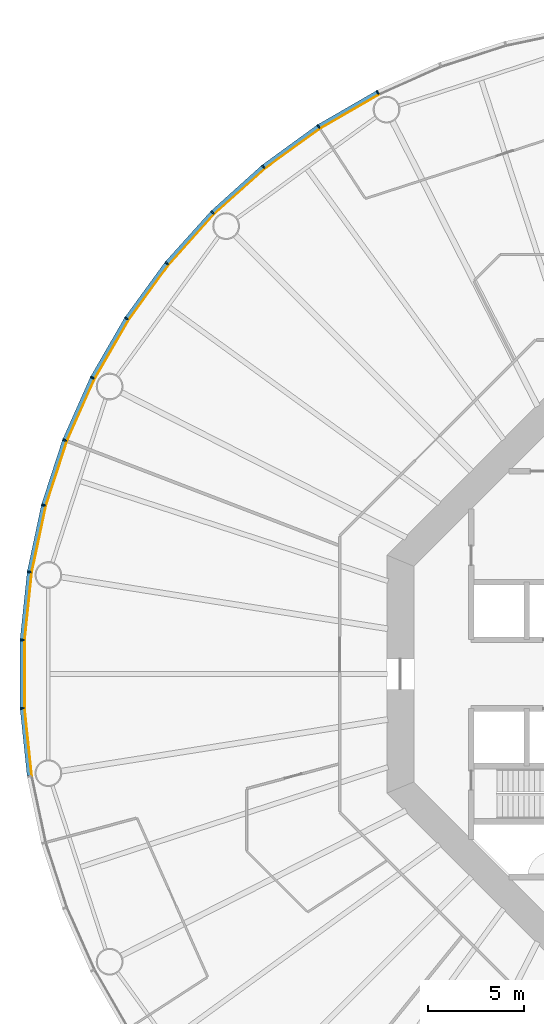
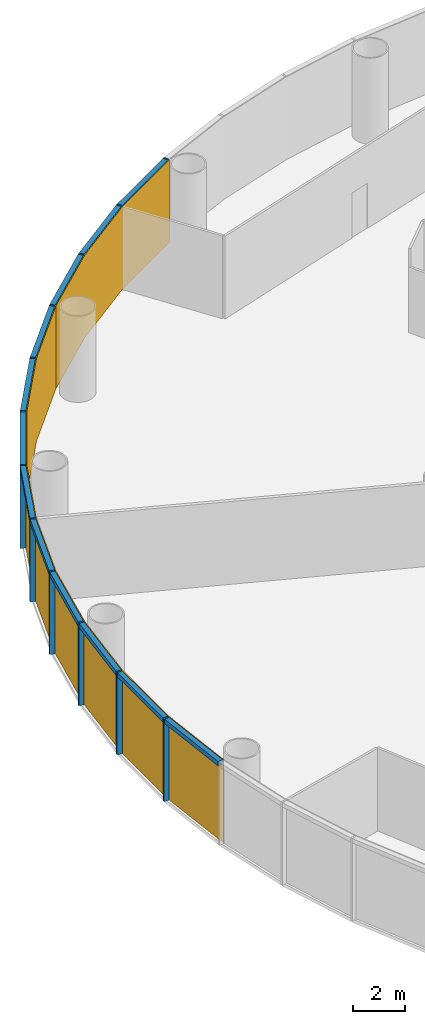
# One storey, part 9 of 13: 24 members, 4 curtain walls.
"""IFC4 building model written with IfcOpenShell, lengths in metres."""

from ifc_helpers import new_model, si_unit, direction, frame, origin, origin_2d, place, context, subcontext, project, spatial, polyline, rectangle, outline, extrude, material, layer, layer_set, material_profile, profile_set, type_object, element, aggregate, save


model = new_model("IFC4")

# Units and contexts
model_context = context("Model", 3, precision=1e-05, world=origin(), true_north=direction((0.0, 1.0)))
body_context = subcontext(model_context, "Body", "Model", "MODEL_VIEW")
ifc_project = project(units=[si_unit("LENGTHUNIT", "METRE"), si_unit("AREAUNIT", "SQUARE_METRE"), si_unit("VOLUMEUNIT", "CUBIC_METRE"), si_unit("PLANEANGLEUNIT", "RADIAN"), si_unit("MASSUNIT", "GRAM", prefix="KILO")], contexts=[model_context])

# Member
ifc_material_1 = material(Name="Anodised aluminium", Category="aluminium")
ifc_material_profile_1 = material_profile(ifc_material_1, rectangle(XDim=0.074951171875, YDim=0.219970703125, at=origin_2d()), Name="Mullion 75 x 220 mm anodised aluminium")
ifc_profile_set_1 = profile_set([ifc_material_profile_1], Name="Anodised aluminium")
member_type_1 = type_object("IfcMemberType", Name="Mullion 75 x 220 mm anodised aluminium", PredefinedType="MULLION", material=ifc_profile_set_1)
site_placement = place(None, origin())
building_placement = place(site_placement, origin())
storey_placement = place(building_placement, frame((0.0, 0.0, 22.0)))
member_1_placement = place(storey_placement, frame((74.514404296875, 110.392333984375, 0.0), z_axis=(0.0, 0.0, 1.0), x_axis=(-0.891006524188, -0.45399049974, 0.0)))
member_1 = element("IfcMember", 1, at=member_1_placement, type_object=member_type_1, Name="MULLION L03-18", PredefinedType="MULLION", context=body_context, shape_type="SweptSolid", body=[
    extrude(rectangle(XDim=0.074951171875, YDim=0.219970703125, at=origin_2d()), origin(), (0.0, 0.0, 1.0), 3.85009765625),
])

member_2_placement = place(storey_placement, frame((71.42236328125, 108.60693359375, 0.0), z_axis=(0.0, 0.0, 1.0), x_axis=(-0.838670567945, -0.544639035015, 0.0)))
member_2 = element("IfcMember", 2, at=member_2_placement, type_object=member_type_1, Name="MULLION L03-19", PredefinedType="MULLION", context=body_context, shape_type="SweptSolid", body=[
    extrude(rectangle(XDim=0.074951171875, YDim=0.219970703125, at=origin_2d()), origin(), (0.0, 0.0, 1.0), 3.85009765625),
])

member_3_placement = place(storey_placement, frame((68.533935546875, 106.508544921875, 0.0), z_axis=(0.0, 0.0, 1.0), x_axis=(-0.777145961457, -0.62932039105, 0.0)))
member_3 = element("IfcMember", 3, at=member_3_placement, type_object=member_type_1, Name="MULLION L03-20", PredefinedType="MULLION", context=body_context, shape_type="SweptSolid", body=[
    extrude(rectangle(XDim=0.074951171875, YDim=0.219970703125, at=origin_2d()), origin(), (0.0, 0.0, 1.0), 3.85009765625),
])

member_4_placement = place(storey_placement, frame((65.880615234375, 104.119384765625, 0.0), z_axis=(0.0, 0.0, 1.0), x_axis=(-0.707106781187, -0.707106781187, 0.0)))
member_4 = element("IfcMember", 4, at=member_4_placement, type_object=member_type_1, Name="MULLION L03-21", PredefinedType="MULLION", context=body_context, shape_type="SweptSolid", body=[
    extrude(rectangle(XDim=0.074951171875, YDim=0.219970703125, at=origin_2d()), origin(), (0.0, 0.0, 1.0), 3.85009765625),
])

member_5_placement = place(storey_placement, frame((63.491455078125, 101.466064453125, 0.0), z_axis=(0.0, 0.0, 1.0), x_axis=(-0.62932039105, -0.777145961457, 0.0)))
member_5 = element("IfcMember", 5, at=member_5_placement, type_object=member_type_1, Name="MULLION L03-22", PredefinedType="MULLION", context=body_context, shape_type="SweptSolid", body=[
    extrude(rectangle(XDim=0.074951171875, YDim=0.219970703125, at=origin_2d()), origin(), (0.0, 0.0, 1.0), 3.85009765625),
])

member_6_placement = place(storey_placement, frame((61.39306640625, 98.57763671875, 0.0), z_axis=(0.0, 0.0, 1.0), x_axis=(-0.544639035015, -0.838670567945, 0.0)))
member_6 = element("IfcMember", 6, at=member_6_placement, type_object=member_type_1, Name="MULLION L03-23", PredefinedType="MULLION", context=body_context, shape_type="SweptSolid", body=[
    extrude(rectangle(XDim=0.074951171875, YDim=0.219970703125, at=origin_2d()), origin(), (0.0, 0.0, 1.0), 3.85009765625),
])

member_7_placement = place(storey_placement, frame((59.607666015625, 95.485595703125, 0.0), z_axis=(0.0, 0.0, 1.0), x_axis=(-0.45399049974, -0.891006524188, 0.0)))
member_7 = element("IfcMember", 7, at=member_7_placement, type_object=member_type_1, Name="MULLION L03-24", PredefinedType="MULLION", context=body_context, shape_type="SweptSolid", body=[
    extrude(rectangle(XDim=0.074951171875, YDim=0.219970703125, at=origin_2d()), origin(), (0.0, 0.0, 1.0), 3.85009765625),
])

member_8_placement = place(storey_placement, frame((58.155517578125, 92.223876953125, 0.0), z_axis=(0.0, 0.0, 1.0), x_axis=(-0.358367949545, -0.933580426497, 0.0)))
member_8 = element("IfcMember", 8, at=member_8_placement, type_object=member_type_1, Name="MULLION L03-25", PredefinedType="MULLION", context=body_context, shape_type="SweptSolid", body=[
    extrude(rectangle(XDim=0.074951171875, YDim=0.219970703125, at=origin_2d()), origin(), (0.0, 0.0, 1.0), 3.85009765625),
])

member_9_placement = place(storey_placement, frame((57.05224609375, 88.828369140625, 0.0), z_axis=(0.0, 0.0, 1.0), x_axis=(-0.258819045103, -0.965925826289, 0.0)))
member_9 = element("IfcMember", 9, at=member_9_placement, type_object=member_type_1, Name="MULLION L03-26", PredefinedType="MULLION", context=body_context, shape_type="SweptSolid", body=[
    extrude(rectangle(XDim=0.074951171875, YDim=0.219970703125, at=origin_2d()), origin(), (0.0, 0.0, 1.0), 3.85009765625),
])

member_10_placement = place(storey_placement, frame((56.31005859375, 85.3359375, 0.0), z_axis=(0.0, 0.0, 1.0), x_axis=(-0.15643446504, -0.987688340595, 0.0)))
member_10 = element("IfcMember", 10, at=member_10_placement, type_object=member_type_1, Name="MULLION L03-27", PredefinedType="MULLION", context=body_context, shape_type="SweptSolid", body=[
    extrude(rectangle(XDim=0.074951171875, YDim=0.219970703125, at=origin_2d()), origin(), (0.0, 0.0, 1.0), 3.85009765625),
])

member_11_placement = place(storey_placement, frame((55.936767578125, 81.78515625, 0.0), z_axis=(0.0, 0.0, 1.0), x_axis=(-0.052335956243, -0.998629534755, 0.0)))
member_11 = element("IfcMember", 11, at=member_11_placement, type_object=member_type_1, Name="MULLION L03-28", PredefinedType="MULLION", context=body_context, shape_type="SweptSolid", body=[
    extrude(rectangle(XDim=0.074951171875, YDim=0.219970703125, at=origin_2d()), origin(), (0.0, 0.0, 1.0), 3.85009765625),
])

member_12_placement = place(storey_placement, frame((55.936767578125, 78.21484375, 0.0), z_axis=(0.0, 0.0, 1.0), x_axis=(0.052335956243, -0.998629534755, 0.0)))
member_12 = element("IfcMember", 12, at=member_12_placement, type_object=member_type_1, Name="MULLION L03-29", PredefinedType="MULLION", context=body_context, shape_type="SweptSolid", body=[
    extrude(rectangle(XDim=0.074951171875, YDim=0.219970703125, at=origin_2d()), origin(), (0.0, 0.0, 1.0), 3.85009765625),
])

ifc_material_2 = material(Name="Anodised aluminium", Category="aluminium")
ifc_material_profile_2 = material_profile(ifc_material_2, rectangle(XDim=0.219970703125, YDim=0.199951171875, at=origin_2d()), Name="Transom 200 x 220 mm anodised aluminium")
ifc_profile_set_2 = profile_set([ifc_material_profile_2], Name="Anodised aluminium")
member_type_2 = type_object("IfcMemberType", Name="Transom 200 x 220 mm anodised aluminium", PredefinedType="USERDEFINED", material=ifc_profile_set_2)
member_13_placement = place(storey_placement, frame((74.476806640625, 110.370849609375, 3.75), z_axis=(-0.866022206254, -0.500005538244, 0.0), x_axis=(0.500005538244, -0.866022206254, 0.0)))
member_13 = element("IfcMember", 13, at=member_13_placement, type_object=member_type_2, Name="TRANSOM L03-18", ObjectType="TRANSOM", PredefinedType="USERDEFINED", context=body_context, shape_type="SweptSolid", body=[
    extrude(rectangle(XDim=0.219970703125, YDim=0.199951171875, at=origin_2d()), origin(), (0.0, 0.0, 1.0), 3.48388671875),
])

member_14_placement = place(storey_placement, frame((71.38720703125, 108.581787109375, 3.75), z_axis=(-0.80899056535, -0.587821627006, 0.0), x_axis=(0.587821627006, -0.80899056535, 0.0)))
member_14 = element("IfcMember", 14, at=member_14_placement, type_object=member_type_2, Name="TRANSOM L03-19", ObjectType="TRANSOM", PredefinedType="USERDEFINED", context=body_context, shape_type="SweptSolid", body=[
    extrude(rectangle(XDim=0.219970703125, YDim=0.199951171875, at=origin_2d()), origin(), (0.0, 0.0, 1.0), 3.48388671875),
])

member_15_placement = place(storey_placement, frame((68.501708984375, 106.479736328125, 3.75), z_axis=(-0.743137329876, -0.669138930974, 0.0), x_axis=(0.669138930974, -0.743137329876, 0.0)))
member_15 = element("IfcMember", 15, at=member_15_placement, type_object=member_type_2, Name="TRANSOM L03-20", ObjectType="TRANSOM", PredefinedType="USERDEFINED", context=body_context, shape_type="SweptSolid", body=[
    extrude(rectangle(XDim=0.219970703125, YDim=0.199951171875, at=origin_2d()), origin(), (0.0, 0.0, 1.0), 3.484130859375),
])

member_16_placement = place(storey_placement, frame((65.8515625, 104.08740234375, 3.75), z_axis=(-0.669138930974, -0.743137329876, 0.0), x_axis=(0.743137329876, -0.669138930974, 0.0)))
member_16 = element("IfcMember", 16, at=member_16_placement, type_object=member_type_2, Name="TRANSOM L03-21", ObjectType="TRANSOM", PredefinedType="USERDEFINED", context=body_context, shape_type="SweptSolid", body=[
    extrude(rectangle(XDim=0.219970703125, YDim=0.199951171875, at=origin_2d()), origin(), (0.0, 0.0, 1.0), 3.484130859375),
])

member_17_placement = place(storey_placement, frame((63.466064453125, 101.43115234375, 3.75), z_axis=(-0.587821627006, -0.80899056535, 0.0), x_axis=(0.80899056535, -0.587821627006, 0.0)))
member_17 = element("IfcMember", 17, at=member_17_placement, type_object=member_type_2, Name="TRANSOM L03-22", ObjectType="TRANSOM", PredefinedType="USERDEFINED", context=body_context, shape_type="SweptSolid", body=[
    extrude(rectangle(XDim=0.219970703125, YDim=0.199951171875, at=origin_2d()), origin(), (0.0, 0.0, 1.0), 3.48388671875),
])

member_18_placement = place(storey_placement, frame((61.37109375, 98.540283203125, 3.75), z_axis=(-0.500005538244, -0.866022206254, 0.0), x_axis=(0.866022206254, -0.500005538244, 0.0)))
member_18 = element("IfcMember", 18, at=member_18_placement, type_object=member_type_2, Name="TRANSOM L03-23", ObjectType="TRANSOM", PredefinedType="USERDEFINED", context=body_context, shape_type="SweptSolid", body=[
    extrude(rectangle(XDim=0.219970703125, YDim=0.199951171875, at=origin_2d()), origin(), (0.0, 0.0, 1.0), 3.48388671875),
])

member_19_placement = place(storey_placement, frame((59.590087890625, 95.446044921875, 3.75), z_axis=(-0.406736576304, -0.913545487371, 0.0), x_axis=(0.913545487371, -0.406736576304, 0.0)))
member_19 = element("IfcMember", 19, at=member_19_placement, type_object=member_type_2, Name="TRANSOM L03-24", ObjectType="TRANSOM", PredefinedType="USERDEFINED", context=body_context, shape_type="SweptSolid", body=[
    extrude(rectangle(XDim=0.219970703125, YDim=0.199951171875, at=origin_2d()), origin(), (0.0, 0.0, 1.0), 3.48388671875),
])

member_20_placement = place(storey_placement, frame((58.14208984375, 92.182861328125, 3.75), z_axis=(-0.309029029702, -0.951052605696, 0.0), x_axis=(0.951052605696, -0.309029029702, 0.0)))
member_20 = element("IfcMember", 20, at=member_20_placement, type_object=member_type_2, Name="TRANSOM L03-25", ObjectType="TRANSOM", PredefinedType="USERDEFINED", context=body_context, shape_type="SweptSolid", body=[
    extrude(rectangle(XDim=0.219970703125, YDim=0.199951171875, at=origin_2d()), origin(), (0.0, 0.0, 1.0), 3.484130859375),
])

member_21_placement = place(storey_placement, frame((57.043212890625, 88.7861328125, 3.75), z_axis=(-0.207920776701, -0.978145669426, 0.0), x_axis=(0.978145669426, -0.207920776701, 0.0)))
member_21 = element("IfcMember", 21, at=member_21_placement, type_object=member_type_2, Name="TRANSOM L03-26", ObjectType="TRANSOM", PredefinedType="USERDEFINED", context=body_context, shape_type="SweptSolid", body=[
    extrude(rectangle(XDim=0.219970703125, YDim=0.199951171875, at=origin_2d()), origin(), (0.0, 0.0, 1.0), 3.48388671875),
])

member_22_placement = place(storey_placement, frame((56.30517578125, 85.29296875, 3.75), z_axis=(-0.104484152234, -0.994526551648, 0.0), x_axis=(0.994526551648, -0.104484152234, 0.0)))
member_22 = element("IfcMember", 22, at=member_22_placement, type_object=member_type_2, Name="TRANSOM L03-27", ObjectType="TRANSOM", PredefinedType="USERDEFINED", context=body_context, shape_type="SweptSolid", body=[
    extrude(rectangle(XDim=0.219970703125, YDim=0.199951171875, at=origin_2d()), origin(), (0.0, 0.0, 1.0), 3.48388671875),
])

member_23_placement = place(storey_placement, frame((55.9365234375, 81.741943359375, 3.75), z_axis=(0.0, -1.0, 0.0), x_axis=(1.0, 0.0, 0.0)))
member_23 = element("IfcMember", 23, at=member_23_placement, type_object=member_type_2, Name="TRANSOM L03-28", ObjectType="TRANSOM", PredefinedType="USERDEFINED", context=body_context, shape_type="SweptSolid", body=[
    extrude(rectangle(XDim=0.219970703125, YDim=0.199951171875, at=origin_2d()), origin(), (0.0, 0.0, 1.0), 3.48388671875),
])

member_24_placement = place(storey_placement, frame((55.941162109375, 78.171875, 3.75), z_axis=(0.104484152234, -0.994526551648, 0.0), x_axis=(0.994526551648, 0.104484152234, 0.0)))
member_24 = element("IfcMember", 24, at=member_24_placement, type_object=member_type_2, Name="TRANSOM L03-29", ObjectType="TRANSOM", PredefinedType="USERDEFINED", context=body_context, shape_type="SweptSolid", body=[
    extrude(rectangle(XDim=0.219970703125, YDim=0.199951171875, at=origin_2d()), origin(), (0.0, 0.0, 1.0), 3.48388671875),
])

# Site, building, storey
site = spatial("IfcSite", under=ifc_project, at=site_placement, CompositionType="ELEMENT")
building = spatial("IfcBuilding", under=site, at=building_placement, Name="Entoto Ring Tower", CompositionType="ELEMENT")
storey = spatial("IfcBuildingStorey", under=building, at=storey_placement, Name="L03", CompositionType="ELEMENT", Elevation=22.0)

# Curtain wall
ifc_material_3 = material(Name="Clear low-iron glass", Category="glass")
ifc_layer = layer(ifc_material_3, 0.0400390625)
ifc_layer_set = layer_set([ifc_layer], Name="Clear low-iron glass")
curtain_wall_type = type_object("IfcCurtainWallType", Name="Curtain wall system CW1 glazing 40 mm", PredefinedType="NOTDEFINED", material=ifc_layer_set)
curtain_wall_1_placement = place(storey_placement, origin())
curtain_wall_1 = element("IfcCurtainWall", 25, at=curtain_wall_1_placement, inside=storey, type_object=curtain_wall_type, Name="CW1 L03-07", PredefinedType="NOTDEFINED", context=body_context, shape_type="SweptSolid", body=[
    extrude(outline(polyline([(74.564208984375, 110.294189453125), (71.482177734375, 108.514892578125), (68.60302734375, 106.4228515625), (65.958251953125, 104.041748046875), (65.986572265625, 104.013427734375), (68.62841796875, 106.391845703125), (71.504150390625, 108.481201171875), (74.58251953125, 110.258544921875), (74.564208984375, 110.294189453125)])), origin(), (0.0, 0.0, 1.0), 3.85009765625),
])

aggregate(curtain_wall_1, [member_1, member_2, member_3, member_13, member_14, member_15])

curtain_wall_2_placement = place(storey_placement, origin())
curtain_wall_2 = element("IfcCurtainWall", 26, at=curtain_wall_2_placement, inside=storey, type_object=curtain_wall_type, Name="CW1 L03-08", PredefinedType="NOTDEFINED", context=body_context, shape_type="SweptSolid", body=[
    extrude(outline(polyline([(65.958251953125, 104.041748046875), (63.5771484375, 101.39697265625), (61.485107421875, 98.517822265625), (59.705810546875, 95.435791015625), (59.741455078125, 95.41748046875), (61.518798828125, 98.495849609375), (63.608154296875, 101.37158203125), (65.986572265625, 104.013427734375), (65.958251953125, 104.041748046875)])), origin(), (0.0, 0.0, 1.0), 3.85009765625),
])

aggregate(curtain_wall_2, [member_4, member_5, member_6, member_16, member_17, member_18])

curtain_wall_3_placement = place(storey_placement, origin())
curtain_wall_3 = element("IfcCurtainWall", 27, at=curtain_wall_3_placement, inside=storey, type_object=curtain_wall_type, Name="CW1 L03-09", PredefinedType="NOTDEFINED", context=body_context, shape_type="SweptSolid", body=[
    extrude(outline(polyline([(59.705810546875, 95.435791015625), (58.25830078125, 92.1845703125), (57.158447265625, 88.7998046875), (56.418701171875, 85.31884765625), (56.458251953125, 85.3125), (57.197265625, 88.78955078125), (58.295654296875, 92.170166015625), (59.741455078125, 95.41748046875), (59.705810546875, 95.435791015625)])), origin(), (0.0, 0.0, 1.0), 3.85009765625),
])

aggregate(curtain_wall_3, [member_7, member_8, member_9, member_19, member_20, member_21])

curtain_wall_4_placement = place(storey_placement, origin())
curtain_wall_4 = element("IfcCurtainWall", 28, at=curtain_wall_4_placement, inside=storey, type_object=curtain_wall_type, Name="CW1 L03-10", PredefinedType="NOTDEFINED", context=body_context, shape_type="SweptSolid", body=[
    extrude(outline(polyline([(56.418701171875, 85.31884765625), (56.046630859375, 81.779541015625), (56.046630859375, 78.220458984375), (56.418701171875, 74.68115234375), (56.458251953125, 74.6875), (56.086669921875, 78.22265625), (56.086669921875, 81.77734375), (56.458251953125, 85.3125), (56.418701171875, 85.31884765625)])), origin(), (0.0, 0.0, 1.0), 3.85009765625),
])

aggregate(curtain_wall_4, [member_10, member_11, member_12, member_22, member_23, member_24])

save(model, "model.ifc")
